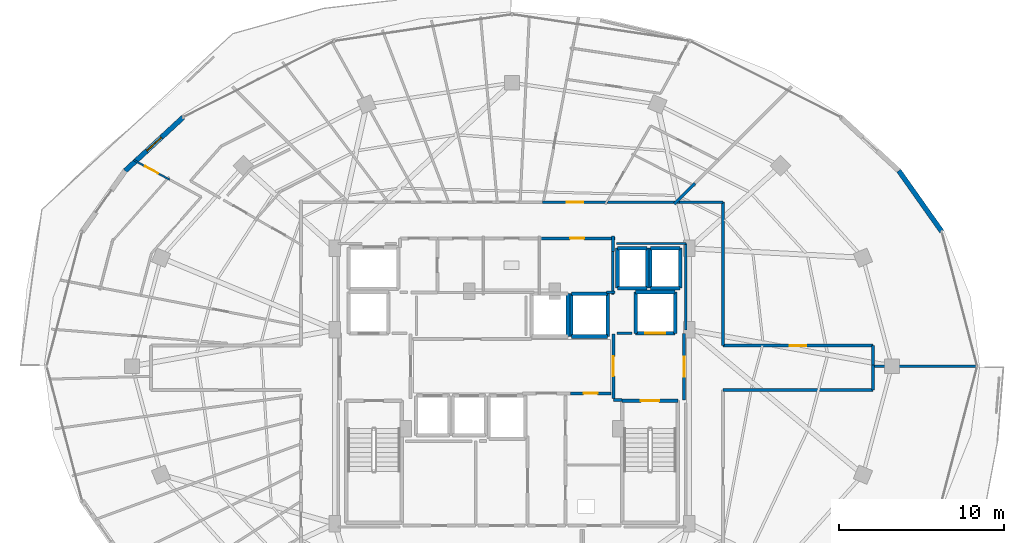
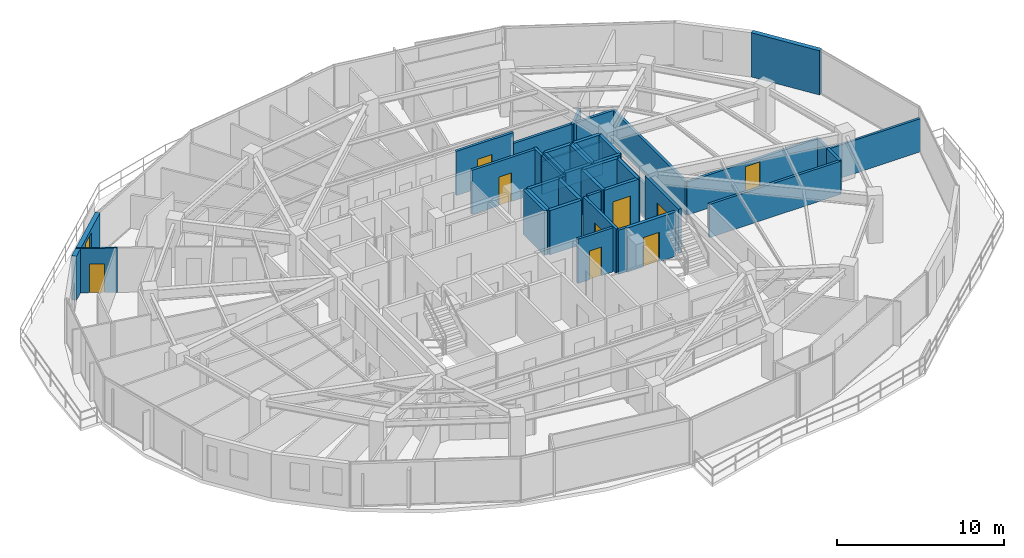
# One storey, part 28 of 33: 42 walls, 9 doors, 1 window, 10 openings.
"""IFC4 building model written with IfcOpenShell, lengths in metres."""

from ifc_helpers import new_model, si_unit, direction, frame, frame_2d, origin, place, context, subcontext, project, spatial, rectangle, extrude, material, layer, layer_set, type_object, element, fill, save


model = new_model("IFC4")

# Units and contexts
model_context = context("Model", 3, precision=1e-05, world=origin(), true_north=direction((0.0, 1.0)))
body_context = subcontext(model_context, "Body", "Model", "MODEL_VIEW")
ifc_project = project(units=[si_unit("LENGTHUNIT", "METRE"), si_unit("AREAUNIT", "SQUARE_METRE"), si_unit("VOLUMEUNIT", "CUBIC_METRE"), si_unit("PLANEANGLEUNIT", "RADIAN"), si_unit("MASSUNIT", "GRAM", prefix="KILO")], contexts=[model_context])

# Site, building, storey
site_placement = place(None, origin())
site = spatial("IfcSite", under=ifc_project, at=site_placement, CompositionType="ELEMENT")
building_placement = place(site_placement, origin())
building = spatial("IfcBuilding", under=site, at=building_placement, Name="Vorneva Point Tower", CompositionType="ELEMENT")
storey_placement = place(building_placement, frame((0.0, 0.0, 196.60009765625)))
storey = spatial("IfcBuildingStorey", under=building, at=storey_placement, Name="L53", CompositionType="ELEMENT", Elevation=196.60009765625)

# Wall, opening, door
ifc_material_1 = material(Name="Concrete B60 (C50/60)", Category="concrete")
ifc_layer_1 = layer(ifc_material_1, 0.35009765625)
ifc_layer_set_1 = layer_set([ifc_layer_1], Name="Concrete B60 (C50/60)")
wall_type_1 = type_object("IfcWallType", Name="WL-CORE-350", PredefinedType="SHEAR", material=ifc_layer_set_1)
wall_1_placement = place(storey_placement, frame((45.5, 28.0, 0.0), z_axis=(0.0, 0.0, 1.0), x_axis=(1.0, 0.0, 0.0)))
wall_1 = element("IfcWall", 1, at=wall_1_placement, inside=storey, type_object=wall_type_1, Name="L53 Lift FFL2 Shaft Wall -Y", PredefinedType="SHEAR", context=body_context, shape_type="SweptSolid", body=[
    extrude(rectangle(XDim=2.39990234375, YDim=0.219970703125, at=frame_2d((1.199951171875, 0.0))), origin(), (0.0, 0.0, 1.0), 3.239990234375),
])
opening_1_placement = place(wall_1_placement, frame((0.60009765625, 0.0, 0.0)))
opening_1 = element("IfcOpeningElement", 2, at=opening_1_placement, cuts=wall_1, Name="Opening LD-02", PredefinedType="OPENING", context=body_context, shape_type="SweptSolid", body=[
    extrude(rectangle(XDim=1.199951171875, YDim=2.199951171875, at=frame_2d((0.60009765625, 1.10009765625))), frame((0.0, 0.125, 0.0), z_axis=(0.0, -1.0, 0.0), x_axis=(1.0, 0.0, 0.0)), (0.0, 0.0, 1.0), 0.249755859375),
])
ifc_material_2 = material(Name="Brushed stainless steel S304", Category="steel")
door_type_1 = type_object("IfcDoorType", Name="LD-FIRE-1200", OperationType="SLIDING_TO_LEFT", PredefinedType="DOOR", material=ifc_material_2)
door_1_placement = place(opening_1_placement, origin())
door_1 = element("IfcDoor", 3, at=door_1_placement, inside=storey, type_object=door_type_1, Name="L53 Lift FFL2 Sliding Landing Door", OperationType="SLIDING_TO_LEFT", OverallHeight=2.199951171875, OverallWidth=1.199951171875, PredefinedType="DOOR", context=body_context, shape_type="SweptSolid", body=[
    extrude(rectangle(XDim=1.199951171875, YDim=2.199951171875, at=frame_2d((0.60009765625, 1.10009765625))), frame((0.0, 0.02490234375, 0.0), z_axis=(0.0, -1.0, 0.0), x_axis=(1.0, 0.0, 0.0)), (0.0, 0.0, 1.0), 0.050048828125),
])
fill(opening_1, door_1)

# Walls
wall_2_placement = place(storey_placement, frame((47.89990234375, 28.0, 0.0), z_axis=(0.0, 0.0, 1.0), x_axis=(0.0, 1.0, 0.0)))
element("IfcWall", 4, at=wall_2_placement, inside=storey, type_object=wall_type_1, Name="L53 Lift FFL2 Shaft Wall +X", PredefinedType="SHEAR", context=body_context, shape_type="SweptSolid", body=[
    extrude(rectangle(XDim=2.5, YDim=0.219970703125, at=frame_2d((1.25, 0.0))), origin(), (0.0, 0.0, 1.0), 3.239990234375),
])
wall_3_placement = place(storey_placement, frame((47.89990234375, 30.5, 0.0), z_axis=(0.0, 0.0, 1.0), x_axis=(-1.0, 0.0, 0.0)))
element("IfcWall", 5, at=wall_3_placement, inside=storey, type_object=wall_type_1, Name="L53 Lift FFL2 Shaft Wall +Y", PredefinedType="SHEAR", context=body_context, shape_type="SweptSolid", body=[
    extrude(rectangle(XDim=2.39990234375, YDim=0.219970703125, at=frame_2d((1.199951171875, 0.0))), origin(), (0.0, 0.0, 1.0), 3.239990234375),
])
wall_4_placement = place(storey_placement, frame((45.5, 30.5, 0.0), z_axis=(0.0, 0.0, 1.0), x_axis=(0.0, -1.0, 0.0)))
element("IfcWall", 6, at=wall_4_placement, inside=storey, type_object=wall_type_1, Name="L53 Lift FFL2 Shaft Wall -X", PredefinedType="SHEAR", context=body_context, shape_type="SweptSolid", body=[
    extrude(rectangle(XDim=2.5, YDim=0.219970703125, at=frame_2d((1.25, 0.0))), origin(), (0.0, 0.0, 1.0), 3.239990234375),
])
ifc_material_3 = material(Name="Precast concrete B50 (C40/50)", Category="concrete")
ifc_layer_2 = layer(ifc_material_3, 0.300048828125)
ifc_layer_set_2 = layer_set([ifc_layer_2], Name="Precast concrete B50 (C40/50)")
wall_type_2 = type_object("IfcWallType", Name="WL-EXT-300", PredefinedType="STANDARD", material=ifc_layer_set_2)
wall_5_placement = place(storey_placement, frame((64.0810546875, 34.17041015625, 0.0), z_axis=(0.0, 0.0, 1.0), x_axis=(-0.577168747264, 0.81662490605, 0.0)))
element("IfcWall", 7, at=wall_5_placement, inside=storey, type_object=wall_type_2, Name="L53 Pale-Metal Facade Spandrel Wall 02.1", PredefinedType="STANDARD", context=body_context, shape_type="SweptSolid", body=[
    extrude(rectangle(XDim=4.519775390625, YDim=0.300048828125, at=frame_2d((2.259765625, 0.0))), origin(), (0.0, 0.0, 1.0), 3.239990234375),
])

# Wall, opening, window
wall_6_placement = place(storey_placement, frame((18.038330078125, 41.0966796875, 0.0), z_axis=(0.0, 0.0, 1.0), x_axis=(-0.735359993374, -0.677676678177, 0.0)))
wall_6 = element("IfcWall", 8, at=wall_6_placement, inside=storey, type_object=wall_type_2, Name="L53 Pale-Metal Facade Spandrel Wall 07.1", PredefinedType="STANDARD", context=body_context, shape_type="SweptSolid", body=[
    extrude(rectangle(XDim=4.774169921875, YDim=0.300048828125, at=frame_2d((2.38720703125, 0.0))), origin(), (0.0, 0.0, 1.0), 3.239990234375),
])
opening_2_placement = place(wall_6_placement, frame((1.787109375, 0.0, 0.85009765625)))
opening_2 = element("IfcOpeningElement", 9, at=opening_2_placement, cuts=wall_6, Name="Opening W-04", PredefinedType="OPENING", context=body_context, shape_type="SweptSolid", body=[
    extrude(rectangle(XDim=1.199951171875, YDim=2.10009765625, at=frame_2d((0.60009765625, 1.050048828125))), frame((0.0, 0.1650390625, 0.0), z_axis=(0.0, -1.0, 0.0), x_axis=(1.0, 0.0, 0.0)), (0.0, 0.0, 1.0), 0.329833984375),
])
ifc_material_4 = material(Name="Double low-e laminated glass IGU", Category="glass")
window_type = type_object("IfcWindowType", Name="WN-RES-1200", PartitioningType="SINGLE_PANEL", PredefinedType="WINDOW", material=ifc_material_4)
window_placement = place(opening_2_placement, origin())
window = element("IfcWindow", 10, at=window_placement, inside=storey, type_object=window_type, Name="L53 Facade Window 07", OverallHeight=2.10009765625, OverallWidth=1.199951171875, PartitioningType="SINGLE_PANEL", PredefinedType="WINDOW", context=body_context, shape_type="SweptSolid", body=[
    extrude(rectangle(XDim=1.199951171875, YDim=2.10009765625, at=frame_2d((0.60009765625, 1.050048828125))), frame((0.0, 0.030029296875, 0.0), z_axis=(0.0, -1.0, 0.0), x_axis=(1.0, 0.0, 0.0)), (0.0, 0.0, 1.0), 0.06005859375),
])
fill(opening_2, window)

# Wall, opening, door
ifc_material_5 = material(Name="Fire-rated acoustic gypsum stud partition", Category="gypsum")
ifc_layer_3 = layer(ifc_material_5, 0.110107421875)
ifc_layer_set_3 = layer_set([ifc_layer_3], Name="Fire-rated acoustic gypsum stud partition")
wall_type_3 = type_object("IfcWallType", Name="WL-PART-110", PredefinedType="PARTITIONING", material=ifc_layer_set_3)
wall_7_placement = place(storey_placement, frame((15.041015625, 38.510009765625, 0.0), z_axis=(0.0, 0.0, 1.0), x_axis=(0.877951724479, -0.478749171784, 0.0)))
wall_7 = element("IfcWall", 11, at=wall_7_placement, inside=storey, type_object=wall_type_3, Name="L53 Interior Partition 092", PredefinedType="PARTITIONING", context=body_context, shape_type="SweptSolid", body=[
    extrude(rectangle(XDim=2.4921875, YDim=0.110107421875, at=frame_2d((1.24609375, 0.0))), origin(), (0.0, 0.0, 1.0), 3.239990234375),
])
opening_3_placement = place(wall_7_placement, frame((0.7958984375, 0.0, 0.0)))
opening_3 = element("IfcOpeningElement", 12, at=opening_3_placement, cuts=wall_7, Name="Opening ID-01", PredefinedType="OPENING", context=body_context, shape_type="SweptSolid", body=[
    extrude(rectangle(XDim=0.89990234375, YDim=2.10009765625, at=frame_2d((0.449951171875, 1.050048828125))), frame((0.0, 0.06982421875, 0.0), z_axis=(0.0, -1.0, 0.0), x_axis=(1.0, 0.0, 0.0)), (0.0, 0.0, 1.0), 0.139892578125),
])
ifc_material_6 = material(Name="Engineered oak fire-rated door leaf", Category="wood")
door_type_2 = type_object("IfcDoorType", Name="DR-ROOM-900", OperationType="NOTDEFINED", PredefinedType="DOOR", material=ifc_material_6)
door_2_placement = place(opening_3_placement, origin())
door_2 = element("IfcDoor", 13, at=door_2_placement, inside=storey, type_object=door_type_2, Name="L53 Door Living and Dining Room L53-02 / Kitchen L53-02", OperationType="SINGLE_SWING_LEFT", OverallHeight=2.10009765625, OverallWidth=0.89990234375, PredefinedType="DOOR", context=body_context, shape_type="SweptSolid", body=[
    extrude(rectangle(XDim=0.89990234375, YDim=2.10009765625, at=frame_2d((0.449951171875, 1.050048828125))), frame((0.0, 0.02490234375, 0.0), z_axis=(0.0, -1.0, 0.0), x_axis=(1.0, 0.0, 0.0)), (0.0, 0.0, 1.0), 0.050048828125),
])
fill(opening_3, door_2)

# Walls
ifc_layer_4 = layer(ifc_material_5, 0.139892578125)
ifc_layer_set_4 = layer_set([ifc_layer_4], Name="Fire-rated acoustic gypsum stud partition")
wall_type_4 = type_object("IfcWallType", Name="WL-PART-140", PredefinedType="PARTITIONING", material=ifc_layer_set_4)
wall_8_placement = place(storey_placement, frame((43.735107421875, 30.47998046875, 0.0), z_axis=(0.0, 0.0, 1.0), x_axis=(1.0, 0.0, 0.0)))
element("IfcWall", 14, at=wall_8_placement, inside=storey, type_object=wall_type_4, Name="L53 Interior Closure Partition 132", PredefinedType="PARTITIONING", context=body_context, shape_type="SweptSolid", body=[
    extrude(rectangle(XDim=0.52490234375, YDim=0.139892578125, at=frame_2d((0.262451171875, 0.0))), origin(), (0.0, 0.0, 1.0), 3.239990234375),
])
wall_9_placement = place(storey_placement, frame((44.1201171875, 30.340087890625, 0.0), z_axis=(0.0, 0.0, 1.0), x_axis=(0.0, 1.0, 0.0)))
element("IfcWall", 15, at=wall_9_placement, inside=storey, type_object=wall_type_4, Name="L53 Interior Closure Partition 133", PredefinedType="PARTITIONING", context=body_context, shape_type="SweptSolid", body=[
    extrude(rectangle(XDim=2.659912109375, YDim=0.139892578125, at=frame_2d((1.330078125, 0.0))), origin(), (0.0, 0.0, 1.0), 3.239990234375),
])
wall_10_placement = place(storey_placement, frame((48.550048828125, 28.196044921875, 0.0), z_axis=(0.0, 0.0, 1.0), x_axis=(0.0, 1.0, 0.0)))
element("IfcWall", 16, at=wall_10_placement, inside=storey, type_object=wall_type_4, Name="L53 Interior Closure Partition 139", PredefinedType="PARTITIONING", context=body_context, shape_type="SweptSolid", body=[
    extrude(rectangle(XDim=5.25390625, YDim=0.139892578125, at=frame_2d((2.626953125, 0.0))), origin(), (0.0, 0.0, 1.0), 2.431884765625),
])
wall_11_placement = place(storey_placement, frame((48.550048828125, 33.449951171875, 0.0), z_axis=(0.0, 0.0, 1.0), x_axis=(-1.0, 0.0, 0.0)))
element("IfcWall", 17, at=wall_11_placement, inside=storey, type_object=wall_type_4, Name="L53 Interior Closure Partition 140", PredefinedType="PARTITIONING", context=body_context, shape_type="SweptSolid", body=[
    extrude(rectangle(XDim=4.2099609375, YDim=0.139892578125, at=frame_2d((2.10498046875, 0.0))), origin(), (0.0, 0.0, 1.0), 2.431884765625),
])
ifc_layer_5 = layer(ifc_material_5, 0.159912109375)
ifc_layer_set_5 = layer_set([ifc_layer_5], Name="Fire-rated acoustic gypsum stud partition")
wall_type_5 = type_object("IfcWallType", Name="WL-PART-160", PredefinedType="PARTITIONING", material=ifc_layer_set_5)
wall_12_placement = place(storey_placement, frame((47.85107421875, 35.85107421875, 0.0), z_axis=(0.0, 0.0, 1.0), x_axis=(0.707106781187, 0.707106781187, 0.0)))
element("IfcWall", 18, at=wall_12_placement, inside=storey, type_object=wall_type_5, Name="L53 Interior Partition 080", PredefinedType="PARTITIONING", context=body_context, shape_type="SweptSolid", body=[
    extrude(rectangle(XDim=1.76318359375, YDim=0.159912109375, at=frame_2d((0.881591796875, 0.0))), origin(), (0.0, 0.0, 1.0), 2.431884765625),
])
wall_13_placement = place(storey_placement, frame((66.22900390625, 26.0, 0.0), z_axis=(0.0, 0.0, 1.0), x_axis=(-1.0, 0.0, 0.0)))
element("IfcWall", 19, at=wall_13_placement, inside=storey, type_object=wall_type_5, Name="L53 Interior Partition 128", PredefinedType="PARTITIONING", context=body_context, shape_type="SweptSolid", body=[
    extrude(rectangle(XDim=6.3291015625, YDim=0.159912109375, at=frame_2d((3.16455078125, 0.0))), origin(), (0.0, 0.0, 1.0), 2.431884765625),
])

# Wall, opening, door
ifc_material_7 = material(Name="Autoclaved aerated concrete blockwork", Category="masonry")
ifc_layer_6 = layer(ifc_material_7, 0.179931640625)
ifc_layer_set_6 = layer_set([ifc_layer_6], Name="Autoclaved aerated concrete blockwork")
wall_type_6 = type_object("IfcWallType", Name="WL-PART-180", PredefinedType="PARTITIONING", material=ifc_layer_set_6)
wall_14_placement = place(storey_placement, frame((44.14990234375, 27.955078125, 0.0), z_axis=(0.0, 0.0, 1.0), x_axis=(0.0, -1.0, 0.0)))
wall_14 = element("IfcWall", 20, at=wall_14_placement, inside=storey, type_object=wall_type_6, Name="L53 Interior Partition 003", PredefinedType="PARTITIONING", context=body_context, shape_type="SweptSolid", body=[
    extrude(rectangle(XDim=3.91015625, YDim=0.179931640625, at=frame_2d((1.955078125, 0.0))), origin(), (0.0, 0.0, 1.0), 3.239990234375),
])
opening_4_placement = place(wall_14_placement, frame((1.35498046875, 0.0, 0.0)))
opening_4 = element("IfcOpeningElement", 21, at=opening_4_placement, cuts=wall_14, Name="Opening FD-02", PredefinedType="OPENING", context=body_context, shape_type="SweptSolid", body=[
    extrude(rectangle(XDim=1.199951171875, YDim=2.14990234375, at=frame_2d((0.60009765625, 1.074951171875))), frame((0.0, 0.10498046875, 0.0), z_axis=(0.0, -1.0, 0.0), x_axis=(1.0, 0.0, 0.0)), (0.0, 0.0, 1.0), 0.209716796875),
])
ifc_material_8 = material(Name="Fire-rated powder-coated steel", Category="steel")
door_type_3 = type_object("IfcDoorType", Name="DR-FFL-1200", OperationType="NOTDEFINED", PredefinedType="DOOR", material=ifc_material_8)
door_3_placement = place(opening_4_placement, origin())
door_3 = element("IfcDoor", 22, at=door_3_placement, inside=storey, type_object=door_type_3, Name="L53 Door East Firefighting Lobby / Central Lift Lobby", OperationType="SINGLE_SWING_LEFT", OverallHeight=2.14990234375, OverallWidth=1.199951171875, PredefinedType="DOOR", context=body_context, shape_type="SweptSolid", body=[
    extrude(rectangle(XDim=1.199951171875, YDim=2.14990234375, at=frame_2d((0.60009765625, 1.074951171875))), frame((0.0, 0.02490234375, 0.0), z_axis=(0.0, -1.0, 0.0), x_axis=(1.0, 0.0, 0.0)), (0.0, 0.0, 1.0), 0.050048828125),
])
fill(opening_4, door_3)

# Wall
wall_15_placement = place(storey_placement, frame((44.14990234375, 23.949951171875, 0.0), z_axis=(0.0, 0.0, 1.0), x_axis=(1.0, 0.0, 0.0)))
element("IfcWall", 23, at=wall_15_placement, inside=storey, type_object=wall_type_6, Name="L53 Interior Partition 004", PredefinedType="PARTITIONING", context=body_context, shape_type="SweptSolid", body=[
    extrude(rectangle(XDim=0.5400390625, YDim=0.179931640625, at=frame_2d((0.27001953125, 0.0))), origin(), (0.0, 0.0, 1.0), 3.239990234375),
])

# Wall, opening, door
wall_16_placement = place(storey_placement, frame((48.449951171875, 23.949951171875, 0.0), z_axis=(0.0, 0.0, 1.0), x_axis=(0.0, 1.0, 0.0)))
wall_16 = element("IfcWall", 24, at=wall_16_placement, inside=storey, type_object=wall_type_6, Name="L53 Interior Partition 005", PredefinedType="PARTITIONING", context=body_context, shape_type="SweptSolid", body=[
    extrude(rectangle(XDim=4.050048828125, YDim=0.179931640625, at=frame_2d((2.02490234375, 0.0))), origin(), (0.0, 0.0, 1.0), 3.239990234375),
])
opening_5_placement = place(wall_16_placement, frame((1.425048828125, 0.0, 0.0)))
opening_5 = element("IfcOpeningElement", 25, at=opening_5_placement, cuts=wall_16, Name="Opening FD-02", PredefinedType="OPENING", context=body_context, shape_type="SweptSolid", body=[
    extrude(rectangle(XDim=1.199951171875, YDim=2.14990234375, at=frame_2d((0.60009765625, 1.074951171875))), frame((0.0, 0.10498046875, 0.0), z_axis=(0.0, -1.0, 0.0), x_axis=(1.0, 0.0, 0.0)), (0.0, 0.0, 1.0), 0.209716796875),
])
door_4_placement = place(opening_5_placement, origin())
door_4 = element("IfcDoor", 26, at=door_4_placement, inside=storey, type_object=door_type_3, Name="L53 Door East Firefighting Lobby / L53 Circulation Corridor", OperationType="SINGLE_SWING_LEFT", OverallHeight=2.14990234375, OverallWidth=1.199951171875, PredefinedType="DOOR", context=body_context, shape_type="SweptSolid", body=[
    extrude(rectangle(XDim=1.199951171875, YDim=2.14990234375, at=frame_2d((0.60009765625, 1.074951171875))), frame((0.0, 0.02490234375, 0.0), z_axis=(0.0, -1.0, 0.0), x_axis=(1.0, 0.0, 0.0)), (0.0, 0.0, 1.0), 0.050048828125),
])
fill(opening_5, door_4)

wall_17_placement = place(storey_placement, frame((41.554931640625, 24.35009765625, 0.0), z_axis=(0.0, 0.0, 1.0), x_axis=(1.0, 0.0, 0.0)))
wall_17 = element("IfcWall", 27, at=wall_17_placement, inside=storey, type_object=wall_type_6, Name="L53 Interior Partition 011", PredefinedType="PARTITIONING", context=body_context, shape_type="SweptSolid", body=[
    extrude(rectangle(XDim=2.445068359375, YDim=0.179931640625, at=frame_2d((1.22265625, 0.0))), origin(), (0.0, 0.0, 1.0), 3.239990234375),
])
opening_6_placement = place(wall_17_placement, frame((0.797607421875, 0.0, 0.0)))
opening_6 = element("IfcOpeningElement", 28, at=opening_6_placement, cuts=wall_17, Name="Opening ID-02", PredefinedType="OPENING", context=body_context, shape_type="SweptSolid", body=[
    extrude(rectangle(XDim=0.85009765625, YDim=2.10009765625, at=frame_2d((0.425048828125, 1.050048828125))), frame((0.0, 0.10498046875, 0.0), z_axis=(0.0, -1.0, 0.0), x_axis=(1.0, 0.0, 0.0)), (0.0, 0.0, 1.0), 0.209716796875),
])
door_type_4 = type_object("IfcDoorType", Name="DR-BATH-850", OperationType="NOTDEFINED", PredefinedType="DOOR", material=ifc_material_6)
door_5_placement = place(opening_6_placement, origin())
door_5 = element("IfcDoor", 29, at=door_5_placement, inside=storey, type_object=door_type_4, Name="L53 Door Central Lift Lobby / Valet and Parcel Room", OperationType="SINGLE_SWING_RIGHT", OverallHeight=2.10009765625, OverallWidth=0.85009765625, PredefinedType="DOOR", context=body_context, shape_type="SweptSolid", body=[
    extrude(rectangle(XDim=0.85009765625, YDim=2.10009765625, at=frame_2d((0.425048828125, 1.050048828125))), frame((0.0, 0.02490234375, 0.0), z_axis=(0.0, -1.0, 0.0), x_axis=(1.0, 0.0, 0.0)), (0.0, 0.0, 1.0), 0.050048828125),
])
fill(opening_6, door_5)

wall_18_placement = place(storey_placement, frame((44.260009765625, 33.760009765625, 0.0), z_axis=(0.0, 0.0, 1.0), x_axis=(-1.0, 0.0, 0.0)))
wall_18 = element("IfcWall", 30, at=wall_18_placement, inside=storey, type_object=wall_type_6, Name="L53 Interior Partition 025", PredefinedType="PARTITIONING", context=body_context, shape_type="SweptSolid", body=[
    extrude(rectangle(XDim=4.610107421875, YDim=0.179931640625, at=frame_2d((2.30517578125, 0.0))), origin(), (0.0, 0.0, 1.0), 3.239990234375),
])
opening_7_placement = place(wall_18_placement, frame((1.8798828125, 0.0, 0.0)))
opening_7 = element("IfcOpeningElement", 31, at=opening_7_placement, cuts=wall_18, Name="Opening ID-02", PredefinedType="OPENING", context=body_context, shape_type="SweptSolid", body=[
    extrude(rectangle(XDim=0.85009765625, YDim=2.10009765625, at=frame_2d((0.425048828125, 1.050048828125))), frame((0.0, 0.10498046875, 0.0), z_axis=(0.0, -1.0, 0.0), x_axis=(1.0, 0.0, 0.0)), (0.0, 0.0, 1.0), 0.209716796875),
])
door_6_placement = place(opening_7_placement, origin())
door_6 = element("IfcDoor", 32, at=door_6_placement, inside=storey, type_object=door_type_4, Name="L53 Door Public WC / L53 Circulation Corridor", OperationType="SINGLE_SWING_LEFT", OverallHeight=2.10009765625, OverallWidth=0.85009765625, PredefinedType="DOOR", context=body_context, shape_type="SweptSolid", body=[
    extrude(rectangle(XDim=0.85009765625, YDim=2.10009765625, at=frame_2d((0.425048828125, 1.050048828125))), frame((0.0, 0.02490234375, 0.0), z_axis=(0.0, -1.0, 0.0), x_axis=(1.0, 0.0, 0.0)), (0.0, 0.0, 1.0), 0.050048828125),
])
fill(opening_7, door_6)

# Wall
wall_19_placement = place(storey_placement, frame((44.1201171875, 32.969970703125, 0.0), z_axis=(0.0, 0.0, 1.0), x_axis=(0.0, 1.0, 0.0)))
element("IfcWall", 33, at=wall_19_placement, inside=storey, type_object=wall_type_6, Name="L53 Interior Partition 026", PredefinedType="PARTITIONING", context=body_context, shape_type="SweptSolid", body=[
    extrude(rectangle(XDim=0.929931640625, YDim=0.179931640625, at=frame_2d((0.46484375, 0.0))), origin(), (0.0, 0.0, 1.0), 3.239990234375),
])

# Wall, opening, door
wall_20_placement = place(storey_placement, frame((43.802978515625, 35.949951171875, 0.0), z_axis=(0.0, 0.0, 1.0), x_axis=(-1.0, 0.0, 0.0)))
wall_20 = element("IfcWall", 34, at=wall_20_placement, inside=storey, type_object=wall_type_6, Name="L53 Interior Partition 030", PredefinedType="PARTITIONING", context=body_context, shape_type="SweptSolid", body=[
    extrude(rectangle(XDim=3.965087890625, YDim=0.179931640625, at=frame_2d((1.982421875, 0.0))), origin(), (0.0, 0.0, 1.0), 3.239990234375),
])
opening_8_placement = place(wall_20_placement, frame((1.482421875, 0.0, 0.0)))
opening_8 = element("IfcOpeningElement", 35, at=opening_8_placement, cuts=wall_20, Name="Opening UD-01", PredefinedType="OPENING", context=body_context, shape_type="SweptSolid", body=[
    extrude(rectangle(XDim=1.0, YDim=2.14990234375, at=frame_2d((0.5, 1.074951171875))), frame((0.0, 0.10498046875, 0.0), z_axis=(0.0, -1.0, 0.0), x_axis=(1.0, 0.0, 0.0)), (0.0, 0.0, 1.0), 0.209716796875),
])
door_type_5 = type_object("IfcDoorType", Name="DR-UNIT-1000", OperationType="NOTDEFINED", PredefinedType="DOOR", material=ifc_material_6)
door_7_placement = place(opening_8_placement, origin())
door_7 = element("IfcDoor", 36, at=door_7_placement, inside=storey, type_object=door_type_5, Name="L53 Door L53 Circulation Corridor / Living and Dining Room L53-01", OperationType="SINGLE_SWING_RIGHT", OverallHeight=2.14990234375, OverallWidth=1.0, PredefinedType="DOOR", context=body_context, shape_type="SweptSolid", body=[
    extrude(rectangle(XDim=1.0, YDim=2.14990234375, at=frame_2d((0.5, 1.074951171875))), frame((0.0, 0.02490234375, 0.0), z_axis=(0.0, -1.0, 0.0), x_axis=(1.0, 0.0, 0.0)), (0.0, 0.0, 1.0), 0.050048828125),
])
fill(opening_8, door_7)

# Walls
wall_21_placement = place(storey_placement, frame((48.175048828125, 35.949951171875, 0.0), z_axis=(0.0, 0.0, 1.0), x_axis=(-1.0, 0.0, 0.0)))
element("IfcWall", 37, at=wall_21_placement, inside=storey, type_object=wall_type_6, Name="L53 Interior Partition 031", PredefinedType="PARTITIONING", context=body_context, shape_type="SweptSolid", body=[
    extrude(rectangle(XDim=4.511962890625, YDim=0.179931640625, at=frame_2d((2.255859375, 0.0))), origin(), (0.0, 0.0, 1.0), 2.431884765625),
])
wall_22_placement = place(storey_placement, frame((50.800048828125, 24.550048828125, 0.0), z_axis=(0.0, 0.0, 1.0), x_axis=(1.0, 0.0, 0.0)))
element("IfcWall", 38, at=wall_22_placement, inside=storey, type_object=wall_type_6, Name="L53 Interior Partition 062", PredefinedType="PARTITIONING", context=body_context, shape_type="SweptSolid", body=[
    extrude(rectangle(XDim=9.099853515625, YDim=0.179931640625, at=frame_2d((4.5498046875, 0.0))), origin(), (0.0, 0.0, 1.0), 2.431884765625),
])
wall_23_placement = place(storey_placement, frame((59.89990234375, 24.550048828125, 0.0), z_axis=(0.0, 0.0, 1.0), x_axis=(0.0, 1.0, 0.0)))
element("IfcWall", 39, at=wall_23_placement, inside=storey, type_object=wall_type_6, Name="L53 Interior Partition 063", PredefinedType="PARTITIONING", context=body_context, shape_type="SweptSolid", body=[
    extrude(rectangle(XDim=1.510009765625, YDim=0.179931640625, at=frame_2d((0.7548828125, 0.0))), origin(), (0.0, 0.0, 1.0), 2.431884765625),
])
wall_24_placement = place(storey_placement, frame((59.89990234375, 26.06005859375, 0.0), z_axis=(0.0, 0.0, 1.0), x_axis=(0.0, 1.0, 0.0)))
element("IfcWall", 40, at=wall_24_placement, inside=storey, type_object=wall_type_6, Name="L53 Interior Partition 064", PredefinedType="PARTITIONING", context=body_context, shape_type="SweptSolid", body=[
    extrude(rectangle(XDim=1.18994140625, YDim=0.179931640625, at=frame_2d((0.594970703125, 0.0))), origin(), (0.0, 0.0, 1.0), 2.431884765625),
])

# Wall, opening, door
wall_25_placement = place(storey_placement, frame((59.89990234375, 27.25, 0.0), z_axis=(0.0, 0.0, 1.0), x_axis=(-1.0, 0.0, 0.0)))
wall_25 = element("IfcWall", 41, at=wall_25_placement, inside=storey, type_object=wall_type_6, Name="L53 Interior Partition 065", PredefinedType="PARTITIONING", context=body_context, shape_type="SweptSolid", body=[
    extrude(rectangle(XDim=9.099853515625, YDim=0.179931640625, at=frame_2d((4.5498046875, 0.0))), origin(), (0.0, 0.0, 1.0), 2.431884765625),
])
opening_9_placement = place(wall_25_placement, frame((4.050048828125, 0.0, 0.0)))
opening_9 = element("IfcOpeningElement", 42, at=opening_9_placement, cuts=wall_25, Name="Opening UD-01", PredefinedType="OPENING", context=body_context, shape_type="SweptSolid", body=[
    extrude(rectangle(XDim=1.0, YDim=2.14990234375, at=frame_2d((0.5, 1.074951171875))), frame((0.0, 0.10498046875, 0.0), z_axis=(0.0, -1.0, 0.0), x_axis=(1.0, 0.0, 0.0)), (0.0, 0.0, 1.0), 0.209716796875),
])
door_8_placement = place(opening_9_placement, origin())
door_8 = element("IfcDoor", 43, at=door_8_placement, inside=storey, type_object=door_type_5, Name="L53 Door L53 Circulation Corridor / Residents Sky Lounge L53-06", OperationType="SINGLE_SWING_LEFT", OverallHeight=2.14990234375, OverallWidth=1.0, PredefinedType="DOOR", context=body_context, shape_type="SweptSolid", body=[
    extrude(rectangle(XDim=1.0, YDim=2.14990234375, at=frame_2d((0.5, 1.074951171875))), frame((0.0, 0.02490234375, 0.0), z_axis=(0.0, -1.0, 0.0), x_axis=(1.0, 0.0, 0.0)), (0.0, 0.0, 1.0), 0.050048828125),
])
fill(opening_9, door_8)

# Walls
wall_26_placement = place(storey_placement, frame((50.800048828125, 27.25, 0.0), z_axis=(0.0, 0.0, 1.0), x_axis=(0.0, 1.0, 0.0)))
element("IfcWall", 44, at=wall_26_placement, inside=storey, type_object=wall_type_6, Name="L53 Interior Partition 066", PredefinedType="PARTITIONING", context=body_context, shape_type="SweptSolid", body=[
    extrude(rectangle(XDim=8.699951171875, YDim=0.179931640625, at=frame_2d((4.35009765625, 0.0))), origin(), (0.0, 0.0, 1.0), 2.431884765625),
])
wall_27_placement = place(storey_placement, frame((50.800048828125, 35.949951171875, 0.0), z_axis=(0.0, 0.0, 1.0), x_axis=(-1.0, 0.0, 0.0)))
element("IfcWall", 45, at=wall_27_placement, inside=storey, type_object=wall_type_6, Name="L53 Interior Partition 067", PredefinedType="PARTITIONING", context=body_context, shape_type="SweptSolid", body=[
    extrude(rectangle(XDim=2.625, YDim=0.179931640625, at=frame_2d((1.3125, 0.0))), origin(), (0.0, 0.0, 1.0), 2.431884765625),
])
wall_28_placement = place(storey_placement, frame((45.280029296875, 28.0, 0.0), z_axis=(0.0, 0.0, 1.0), x_axis=(-1.0, 0.0, 0.0)))
element("IfcWall", 46, at=wall_28_placement, inside=storey, type_object=wall_type_6, Name="L53 Interior Closure Partition 130", PredefinedType="PARTITIONING", context=body_context, shape_type="SweptSolid", body=[
    extrude(rectangle(XDim=0.9150390625, YDim=0.179931640625, at=frame_2d((0.45751953125, 0.0))), origin(), (0.0, 0.0, 1.0), 3.239990234375),
])

# Wall, opening, door
ifc_material_9 = material(Name="Concrete B50 (C40/50)", Category="concrete")
ifc_layer_7 = layer(ifc_material_9, 0.219970703125)
ifc_layer_set_7 = layer_set([ifc_layer_7], Name="Concrete B50 (C40/50)")
wall_type_7 = type_object("IfcWallType", Name="WL-SHFT-220", PredefinedType="SOLIDWALL", material=ifc_layer_set_7)
wall_29_placement = place(storey_placement, frame((44.68994140625, 23.909912109375, 0.0), z_axis=(0.0, 0.0, 1.0), x_axis=(1.0, 0.0, 0.0)))
wall_29 = element("IfcWall", 47, at=wall_29_placement, inside=storey, type_object=wall_type_7, Name="L53 Exit Stair ST2 Shaft Wall near", PredefinedType="SOLIDWALL", context=body_context, shape_type="SweptSolid", body=[
    extrude(rectangle(XDim=3.3701171875, YDim=0.219970703125, at=frame_2d((1.68505859375, 0.0))), origin(), (0.0, 0.0, 1.0), 3.239990234375),
])
opening_10_placement = place(wall_29_placement, frame((1.135009765625, 0.0, 0.0)))
opening_10 = element("IfcOpeningElement", 48, at=opening_10_placement, cuts=wall_29, Name="Opening FD-01", PredefinedType="OPENING", context=body_context, shape_type="SweptSolid", body=[
    extrude(rectangle(XDim=1.10009765625, YDim=2.14990234375, at=frame_2d((0.550048828125, 1.074951171875))), frame((0.0, 0.125, 0.0), z_axis=(0.0, -1.0, 0.0), x_axis=(1.0, 0.0, 0.0)), (0.0, 0.0, 1.0), 0.249755859375),
])
door_type_6 = type_object("IfcDoorType", Name="DR-STAIR-1100", OperationType="NOTDEFINED", PredefinedType="DOOR", material=ifc_material_8)
door_9_placement = place(opening_10_placement, origin())
door_9 = element("IfcDoor", 49, at=door_9_placement, inside=storey, type_object=door_type_6, Name="L53 Exit Stair ST2 Fire Door", OperationType="SINGLE_SWING_RIGHT", OverallHeight=2.14990234375, OverallWidth=1.10009765625, PredefinedType="DOOR", context=body_context, shape_type="SweptSolid", body=[
    extrude(rectangle(XDim=1.10009765625, YDim=2.14990234375, at=frame_2d((0.550048828125, 1.074951171875))), frame((0.0, 0.02490234375, 0.0), z_axis=(0.0, -1.0, 0.0), x_axis=(1.0, 0.0, 0.0)), (0.0, 0.0, 1.0), 0.050048828125),
])
fill(opening_10, door_9)

# Walls
wall_30_placement = place(storey_placement, frame((41.39990234375, 27.800048828125, 0.0), z_axis=(0.0, 0.0, 1.0), x_axis=(0.0, 1.0, 0.0)))
element("IfcWall", 50, at=wall_30_placement, inside=storey, type_object=wall_type_7, Name="L53 Lift PL7 Shaft Wall +X", PredefinedType="SOLIDWALL", context=body_context, shape_type="SweptSolid", body=[
    extrude(rectangle(XDim=2.599853515625, YDim=0.219970703125, at=frame_2d((1.2998046875, 0.0))), origin(), (0.0, 0.0, 1.0), 3.239990234375),
])
wall_31_placement = place(storey_placement, frame((41.60009765625, 27.800048828125, 0.0), z_axis=(0.0, 0.0, 1.0), x_axis=(1.0, 0.0, 0.0)))
element("IfcWall", 51, at=wall_31_placement, inside=storey, type_object=wall_type_7, Name="L53 Lift PL8 Shaft Wall -Y", PredefinedType="SOLIDWALL", context=body_context, shape_type="SweptSolid", body=[
    extrude(rectangle(XDim=2.199951171875, YDim=0.219970703125, at=frame_2d((1.10009765625, 0.0))), origin(), (0.0, 0.0, 1.0), 3.239990234375),
])
wall_32_placement = place(storey_placement, frame((43.800048828125, 27.800048828125, 0.0), z_axis=(0.0, 0.0, 1.0), x_axis=(0.0, 1.0, 0.0)))
element("IfcWall", 52, at=wall_32_placement, inside=storey, type_object=wall_type_7, Name="L53 Lift PL8 Shaft Wall +X", PredefinedType="SOLIDWALL", context=body_context, shape_type="SweptSolid", body=[
    extrude(rectangle(XDim=2.599853515625, YDim=0.219970703125, at=frame_2d((1.2998046875, 0.0))), origin(), (0.0, 0.0, 1.0), 3.239990234375),
])
wall_33_placement = place(storey_placement, frame((43.800048828125, 30.39990234375, 0.0), z_axis=(0.0, 0.0, 1.0), x_axis=(-1.0, 0.0, 0.0)))
element("IfcWall", 53, at=wall_33_placement, inside=storey, type_object=wall_type_7, Name="L53 Lift PL8 Shaft Wall +Y", PredefinedType="SOLIDWALL", context=body_context, shape_type="SweptSolid", body=[
    extrude(rectangle(XDim=2.199951171875, YDim=0.219970703125, at=frame_2d((1.10009765625, 0.0))), origin(), (0.0, 0.0, 1.0), 3.239990234375),
])
wall_34_placement = place(storey_placement, frame((41.60009765625, 30.39990234375, 0.0), z_axis=(0.0, 0.0, 1.0), x_axis=(0.0, -1.0, 0.0)))
element("IfcWall", 54, at=wall_34_placement, inside=storey, type_object=wall_type_7, Name="L53 Lift PL8 Shaft Wall -X", PredefinedType="SOLIDWALL", context=body_context, shape_type="SweptSolid", body=[
    extrude(rectangle(XDim=2.599853515625, YDim=0.219970703125, at=frame_2d((1.2998046875, 0.0))), origin(), (0.0, 0.0, 1.0), 3.239990234375),
])
wall_35_placement = place(storey_placement, frame((44.39990234375, 30.739990234375, 0.0), z_axis=(0.0, 0.0, 1.0), x_axis=(1.0, 0.0, 0.0)))
element("IfcWall", 55, at=wall_35_placement, inside=storey, type_object=wall_type_7, Name="L53 Lift EX1 Shaft Wall -Y", PredefinedType="SOLIDWALL", context=body_context, shape_type="SweptSolid", body=[
    extrude(rectangle(XDim=1.800048828125, YDim=0.219970703125, at=frame_2d((0.89990234375, 0.0))), origin(), (0.0, 0.0, 1.0), 3.239990234375),
])
wall_36_placement = place(storey_placement, frame((46.199951171875, 30.739990234375, 0.0), z_axis=(0.0, 0.0, 1.0), x_axis=(0.0, 1.0, 0.0)))
element("IfcWall", 56, at=wall_36_placement, inside=storey, type_object=wall_type_7, Name="L53 Lift EX1 Shaft Wall +X", PredefinedType="SOLIDWALL", context=body_context, shape_type="SweptSolid", body=[
    extrude(rectangle(XDim=2.419921875, YDim=0.219970703125, at=frame_2d((1.2099609375, 0.0))), origin(), (0.0, 0.0, 1.0), 3.239990234375),
])
wall_37_placement = place(storey_placement, frame((46.199951171875, 33.159912109375, 0.0), z_axis=(0.0, 0.0, 1.0), x_axis=(-1.0, 0.0, 0.0)))
element("IfcWall", 57, at=wall_37_placement, inside=storey, type_object=wall_type_7, Name="L53 Lift EX1 Shaft Wall +Y", PredefinedType="SOLIDWALL", context=body_context, shape_type="SweptSolid", body=[
    extrude(rectangle(XDim=1.800048828125, YDim=0.219970703125, at=frame_2d((0.89990234375, 0.0))), origin(), (0.0, 0.0, 1.0), 3.239990234375),
])
wall_38_placement = place(storey_placement, frame((44.39990234375, 33.159912109375, 0.0), z_axis=(0.0, 0.0, 1.0), x_axis=(0.0, -1.0, 0.0)))
element("IfcWall", 58, at=wall_38_placement, inside=storey, type_object=wall_type_7, Name="L53 Lift EX1 Shaft Wall -X", PredefinedType="SOLIDWALL", context=body_context, shape_type="SweptSolid", body=[
    extrude(rectangle(XDim=2.419921875, YDim=0.219970703125, at=frame_2d((1.2099609375, 0.0))), origin(), (0.0, 0.0, 1.0), 3.239990234375),
])
wall_39_placement = place(storey_placement, frame((46.39990234375, 30.739990234375, 0.0), z_axis=(0.0, 0.0, 1.0), x_axis=(1.0, 0.0, 0.0)))
element("IfcWall", 59, at=wall_39_placement, inside=storey, type_object=wall_type_7, Name="L53 Lift EX2 Shaft Wall -Y", PredefinedType="SOLIDWALL", context=body_context, shape_type="SweptSolid", body=[
    extrude(rectangle(XDim=1.800048828125, YDim=0.219970703125, at=frame_2d((0.89990234375, 0.0))), origin(), (0.0, 0.0, 1.0), 3.239990234375),
])
wall_40_placement = place(storey_placement, frame((48.199951171875, 30.739990234375, 0.0), z_axis=(0.0, 0.0, 1.0), x_axis=(0.0, 1.0, 0.0)))
element("IfcWall", 60, at=wall_40_placement, inside=storey, type_object=wall_type_7, Name="L53 Lift EX2 Shaft Wall +X", PredefinedType="SOLIDWALL", context=body_context, shape_type="SweptSolid", body=[
    extrude(rectangle(XDim=2.419921875, YDim=0.219970703125, at=frame_2d((1.2099609375, 0.0))), origin(), (0.0, 0.0, 1.0), 3.239990234375),
])
wall_41_placement = place(storey_placement, frame((48.199951171875, 33.159912109375, 0.0), z_axis=(0.0, 0.0, 1.0), x_axis=(-1.0, 0.0, 0.0)))
element("IfcWall", 61, at=wall_41_placement, inside=storey, type_object=wall_type_7, Name="L53 Lift EX2 Shaft Wall +Y", PredefinedType="SOLIDWALL", context=body_context, shape_type="SweptSolid", body=[
    extrude(rectangle(XDim=1.800048828125, YDim=0.219970703125, at=frame_2d((0.89990234375, 0.0))), origin(), (0.0, 0.0, 1.0), 3.239990234375),
])
wall_42_placement = place(storey_placement, frame((46.39990234375, 33.159912109375, 0.0), z_axis=(0.0, 0.0, 1.0), x_axis=(0.0, -1.0, 0.0)))
element("IfcWall", 62, at=wall_42_placement, inside=storey, type_object=wall_type_7, Name="L53 Lift EX2 Shaft Wall -X", PredefinedType="SOLIDWALL", context=body_context, shape_type="SweptSolid", body=[
    extrude(rectangle(XDim=2.419921875, YDim=0.219970703125, at=frame_2d((1.2099609375, 0.0))), origin(), (0.0, 0.0, 1.0), 3.239990234375),
])

save(model, "model.ifc")
